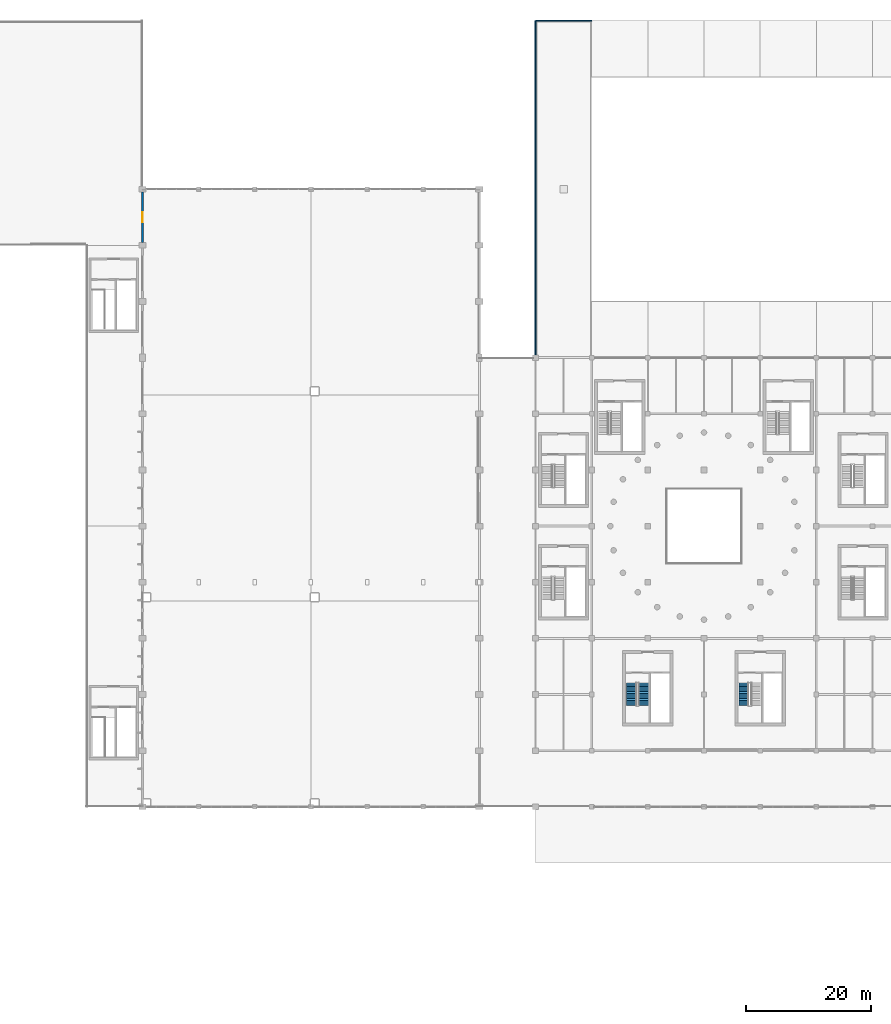
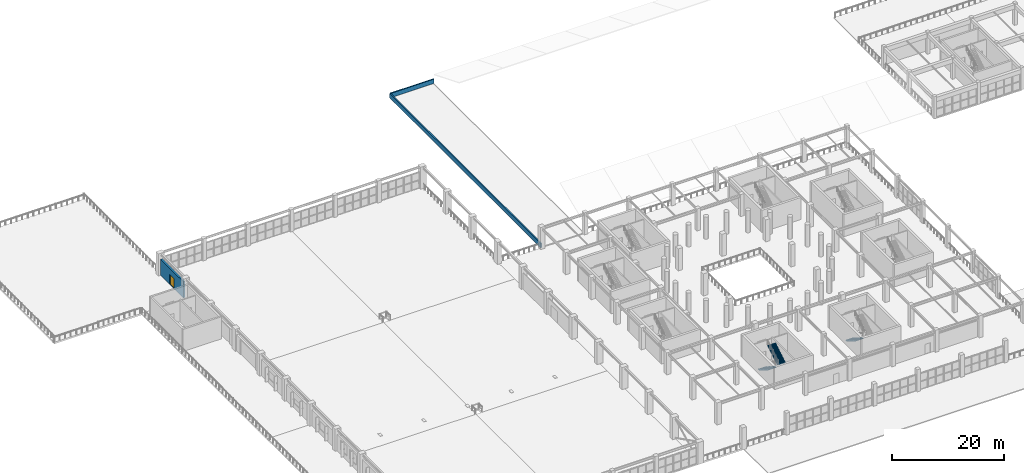
# One storey, part 67 of 89: 3 stair flights, 3 walls, 1 door, 1 opening, 2 elements without a shape of their own.
"""IFC4 building model written with IfcOpenShell, lengths in metres."""

from ifc_helpers import new_model, si_unit, direction, frame, frame_2d, origin, place, context, subcontext, project, spatial, polyline, rectangle, outline, extrude, material, layer, layer_set, type_object, element, fill, aggregate, save


model = new_model("IFC4")

# Units and contexts
model_context = context("Model", 3, precision=1e-05, world=origin(), true_north=direction((0.0, 1.0)))
body_context = subcontext(model_context, "Body", "Model", "MODEL_VIEW")
ifc_project = project(units=[si_unit("LENGTHUNIT", "METRE"), si_unit("AREAUNIT", "SQUARE_METRE"), si_unit("VOLUMEUNIT", "CUBIC_METRE"), si_unit("PLANEANGLEUNIT", "RADIAN"), si_unit("MASSUNIT", "GRAM", prefix="KILO")], contexts=[model_context])

# Site, building, storey
site_placement = place(None, origin())
site = spatial("IfcSite", under=ifc_project, at=site_placement, CompositionType="ELEMENT")
building_placement = place(site_placement, origin())
building = spatial("IfcBuilding", under=site, at=building_placement, Name="Dornveld Trade and Exhibition Forum", CompositionType="ELEMENT")
storey_placement = place(building_placement, frame((0.0, 0.0, 12.0)))
storey = spatial("IfcBuildingStorey", under=building, at=storey_placement, Name="L02", CompositionType="ELEMENT", Elevation=12.0)

# Wall, opening, door
ifc_material_1 = material(Name="Precast concrete C50/60", Category="concrete")
ifc_layer_1 = layer(ifc_material_1, 0.340087890625)
ifc_layer_set_1 = layer_set([ifc_layer_1], Name="Precast concrete C50/60")
wall_type_1 = type_object("IfcWallType", Name="WL-EXT-PC340", PredefinedType="SOLIDWALL", material=ifc_layer_set_1)
wall_1_placement = place(storey_placement, frame((27.0, 134.550537109375, 0.0), z_axis=(0.0, 0.0, 1.0), x_axis=(0.0, -1.0, 0.0)))
wall_1 = element("IfcWall", 1, at=wall_1_placement, inside=storey, type_object=wall_type_1, Name="L02 precast facade wall 78", PredefinedType="SOLIDWALL", context=body_context, shape_type="SweptSolid", body=[
    extrude(rectangle(XDim=8.10107421875, YDim=0.340087890625, at=frame_2d((4.050537109375, 0.0))), origin(), (0.0, 0.0, 1.0), 3.5400390625),
])
opening_placement = place(wall_1_placement, frame((3.25048828125, 0.0, 0.0)))
opening = element("IfcOpeningElement", 2, at=opening_placement, cuts=wall_1, Name="Opening TD-12", PredefinedType="OPENING", context=body_context, shape_type="SweptSolid", body=[
    extrude(rectangle(XDim=1.60009765625, YDim=2.199951171875, at=frame_2d((0.800048828125, 1.10009765625))), frame((0.0, 0.179931640625, 0.0), z_axis=(0.0, -1.0, 0.0), x_axis=(1.0, 0.0, 0.0)), (0.0, 0.0, 1.0), 0.360107421875),
])
ifc_material_2 = material(Name="Dark-bronze anodised aluminium and laminated safety glass", Category="aluminium")
door_type = type_object("IfcDoorType", Name="DR-TER-160x220", OperationType="NOTDEFINED", PredefinedType="DOOR", material=ifc_material_2)
door_placement = place(opening_placement, frame((1.60009765625, 0.0, 0.0), z_axis=(0.0, 0.0, 1.0), x_axis=(-1.0, 0.0, 0.0)))
door = element("IfcDoor", 3, at=door_placement, inside=storey, type_object=door_type, Name="L02 terrace access door 12", OperationType="SINGLE_SWING_RIGHT", OverallHeight=2.199951171875, OverallWidth=1.60009765625, PredefinedType="DOOR", context=body_context, shape_type="SweptSolid", body=[
    extrude(rectangle(XDim=1.60009765625, YDim=2.199951171875, at=frame_2d((0.800048828125, 1.10009765625))), frame((0.0, 0.02490234375, 0.0), z_axis=(0.0, -1.0, 0.0), x_axis=(1.0, 0.0, 0.0)), (0.0, 0.0, 1.0), 0.050048828125),
])
fill(opening, door)

# Walls
ifc_material_3 = material(Name="Precast concrete C50/60", Category="concrete")
ifc_layer_2 = layer(ifc_material_3, 0.239990234375)
ifc_layer_set_2 = layer_set([ifc_layer_2], Name="Precast concrete C50/60")
wall_type_2 = type_object("IfcWallType", Name="WL-PAR-240", PredefinedType="PARAPET", material=ifc_layer_set_2)
wall_2_placement = place(storey_placement, frame((90.0, 108.0, 0.0), z_axis=(0.0, 0.0, 1.0), x_axis=(0.0, 1.0, 0.0)))
element("IfcWall", 4, at=wall_2_placement, inside=storey, type_object=wall_type_2, Name="L02 roof parapet 1", PredefinedType="PARAPET", context=body_context, shape_type="SweptSolid", body=[
    extrude(rectangle(XDim=54.0, YDim=0.239990234375, at=frame_2d((27.0, 0.0))), origin(), (0.0, 0.0, 1.0), 0.949951171875),
])
wall_3_placement = place(storey_placement, frame((90.0, 162.0, 0.0), z_axis=(0.0, 0.0, 1.0), x_axis=(1.0, 0.0, 0.0)))
element("IfcWall", 5, at=wall_3_placement, inside=storey, type_object=wall_type_2, Name="L02 roof parapet 2", PredefinedType="PARAPET", context=body_context, shape_type="SweptSolid", body=[
    extrude(rectangle(XDim=9.0, YDim=0.239990234375, at=frame_2d((4.5, 0.0))), origin(), (0.0, 0.0, 1.0), 0.949951171875),
])

# Stair, stair flight
ifc_material_4 = material(Name="Concrete C40/50", Category="concrete")
stair_type_1 = type_object("IfcStairType", Name="ST-2RET-480A", PredefinedType="HALF_TURN_STAIR", material=ifc_material_4)
stair_1_placement = place(storey_placement, origin())
stair_1 = element("IfcStair", 6, at=stair_1_placement, inside=storey, type_object=stair_type_1, Name="CORE-07 escape stair L02 to L03", PredefinedType="HALF_TURN_STAIR")
ifc_material_5 = material(Name="Concrete C40/50", Category="concrete")
ifc_layer_3 = layer(ifc_material_5, 0.179931640625)
ifc_layer_set_3 = layer_set([ifc_layer_3], Name="Concrete C40/50")
stair_flight_type_1 = type_object("IfcStairFlightType", Name="STF-155", PredefinedType="STRAIGHT", material=ifc_layer_set_3)
stair_flight_1_placement = place(storey_placement, frame((123.3798828125, 55.85009765625, 0.0), z_axis=(0.0, 0.0, 1.0), x_axis=(0.0, -1.0, 0.0)))
stair_flight_1 = element("IfcStairFlight", 7, at=stair_flight_1_placement, type_object=stair_flight_type_1, Name="ST-07-L02 flight 1", NumberOfRisers=14, NumberOfTreads=13, PredefinedType="STRAIGHT", RiserHeight=0.171428571, TreadLength=0.28, context=body_context, shape_type="SweptSolid", body=[
    extrude(outline(polyline([(0.0, 0.0), (0.0, 0.17138671875), (0.280029296875, 0.17138671875), (0.280029296875, 0.3427734375), (0.56005859375, 0.3427734375), (0.56005859375, 0.514404296875), (0.840087890625, 0.514404296875), (0.840087890625, 0.685791015625), (1.1201171875, 0.685791015625), (1.1201171875, 0.857177734375), (1.39990234375, 0.857177734375), (1.39990234375, 1.028564453125), (1.679931640625, 1.028564453125), (1.679931640625, 1.199951171875), (1.9599609375, 1.199951171875), (1.9599609375, 1.371337890625), (2.239990234375, 1.371337890625), (2.239990234375, 1.54296875), (2.52001953125, 1.54296875), (2.52001953125, 1.71435546875), (2.800048828125, 1.71435546875), (2.800048828125, 1.8857421875), (3.080078125, 1.8857421875), (3.080078125, 2.05712890625), (3.360107421875, 2.05712890625), (3.360107421875, 2.228515625), (3.639892578125, 2.228515625), (3.639892578125, 2.39990234375), (3.639892578125, 2.041015625), (0.30615234375, 0.0), (0.0, 0.0)])), frame((0.0, 0.77490234375, 0.0), z_axis=(0.0, -1.0, 0.0), x_axis=(1.0, 0.0, 0.0)), (0.0, 0.0, 1.0), 1.550048828125),
])
aggregate(stair_1, [stair_flight_1])

# Stair, stair flights
ifc_material_6 = material(Name="Concrete C40/50", Category="concrete")
stair_type_2 = type_object("IfcStairType", Name="ST-2RET-480B", PredefinedType="HALF_TURN_STAIR", material=ifc_material_6)
stair_2_placement = place(storey_placement, origin())
stair_2 = element("IfcStair", 8, at=stair_2_placement, inside=storey, type_object=stair_type_2, Name="CORE-06 escape stair L02 to L03", PredefinedType="HALF_TURN_STAIR")
ifc_material_7 = material(Name="Concrete C40/50", Category="concrete")
ifc_layer_4 = layer(ifc_material_7, 0.179931640625)
ifc_layer_set_4 = layer_set([ifc_layer_4], Name="Concrete C40/50")
stair_flight_type_2 = type_object("IfcStairFlightType", Name="STF-162", PredefinedType="STRAIGHT", material=ifc_layer_set_4)
stair_flight_2_placement = place(storey_placement, frame((105.3798828125, 55.85009765625, 0.0), z_axis=(0.0, 0.0, 1.0), x_axis=(0.0, -1.0, 0.0)))
stair_flight_2 = element("IfcStairFlight", 9, at=stair_flight_2_placement, type_object=stair_flight_type_2, Name="ST-06-L02 flight 1", NumberOfRisers=14, NumberOfTreads=13, PredefinedType="STRAIGHT", RiserHeight=0.171428571, TreadLength=0.28, context=body_context, shape_type="SweptSolid", body=[
    extrude(outline(polyline([(0.0, 0.0), (0.0, 0.17138671875), (0.280029296875, 0.17138671875), (0.280029296875, 0.3427734375), (0.56005859375, 0.3427734375), (0.56005859375, 0.514404296875), (0.840087890625, 0.514404296875), (0.840087890625, 0.685791015625), (1.1201171875, 0.685791015625), (1.1201171875, 0.857177734375), (1.39990234375, 0.857177734375), (1.39990234375, 1.028564453125), (1.679931640625, 1.028564453125), (1.679931640625, 1.199951171875), (1.9599609375, 1.199951171875), (1.9599609375, 1.371337890625), (2.239990234375, 1.371337890625), (2.239990234375, 1.54296875), (2.52001953125, 1.54296875), (2.52001953125, 1.71435546875), (2.800048828125, 1.71435546875), (2.800048828125, 1.8857421875), (3.080078125, 1.8857421875), (3.080078125, 2.05712890625), (3.360107421875, 2.05712890625), (3.360107421875, 2.228515625), (3.639892578125, 2.228515625), (3.639892578125, 2.39990234375), (3.639892578125, 2.041015625), (0.30615234375, 0.0), (0.0, 0.0)])), frame((0.0, 0.81005859375, 0.0), z_axis=(0.0, -1.0, 0.0), x_axis=(1.0, 0.0, 0.0)), (0.0, 0.0, 1.0), 1.6201171875),
])
stair_flight_3_placement = place(storey_placement, frame((107.320068359375, 52.2099609375, 2.39990234375), z_axis=(0.0, 0.0, 1.0), x_axis=(0.0, 1.0, 0.0)))
stair_flight_3 = element("IfcStairFlight", 10, at=stair_flight_3_placement, type_object=stair_flight_type_2, Name="ST-06-L02 flight 2", NumberOfRisers=14, NumberOfTreads=13, PredefinedType="STRAIGHT", RiserHeight=0.171428571, TreadLength=0.28, context=body_context, shape_type="SweptSolid", body=[
    extrude(outline(polyline([(0.0, 0.0), (0.0, 0.17138671875), (0.280029296875, 0.17138671875), (0.280029296875, 0.3427734375), (0.56005859375, 0.3427734375), (0.56005859375, 0.514404296875), (0.840087890625, 0.514404296875), (0.840087890625, 0.685791015625), (1.1201171875, 0.685791015625), (1.1201171875, 0.857177734375), (1.39990234375, 0.857177734375), (1.39990234375, 1.028564453125), (1.679931640625, 1.028564453125), (1.679931640625, 1.199951171875), (1.9599609375, 1.199951171875), (1.9599609375, 1.371337890625), (2.239990234375, 1.371337890625), (2.239990234375, 1.54296875), (2.52001953125, 1.54296875), (2.52001953125, 1.71435546875), (2.800048828125, 1.71435546875), (2.800048828125, 1.8857421875), (3.080078125, 1.8857421875), (3.080078125, 2.05712890625), (3.360107421875, 2.05712890625), (3.360107421875, 2.228515625), (3.639892578125, 2.228515625), (3.639892578125, 2.39990234375), (3.639892578125, 2.041015625), (0.30615234375, 0.0), (0.0, 0.0)])), frame((0.0, 0.81005859375, 0.0), z_axis=(0.0, -1.0, 0.0), x_axis=(1.0, 0.0, 0.0)), (0.0, 0.0, 1.0), 1.6201171875),
])
aggregate(stair_2, [stair_flight_2, stair_flight_3])

save(model, "model.ifc")
